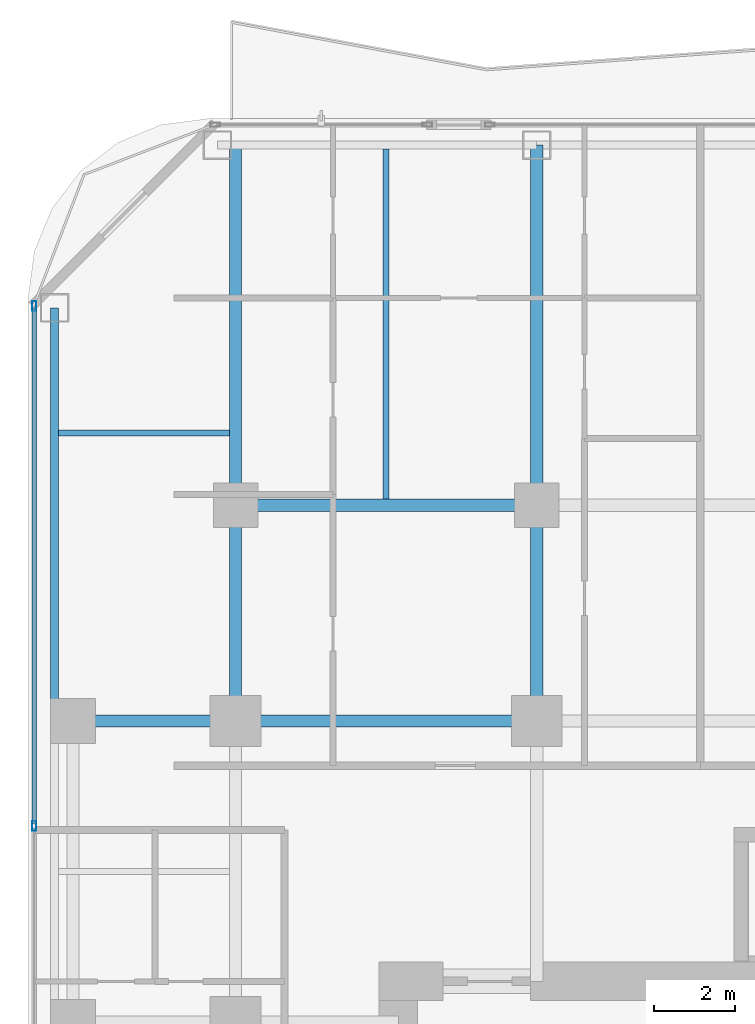
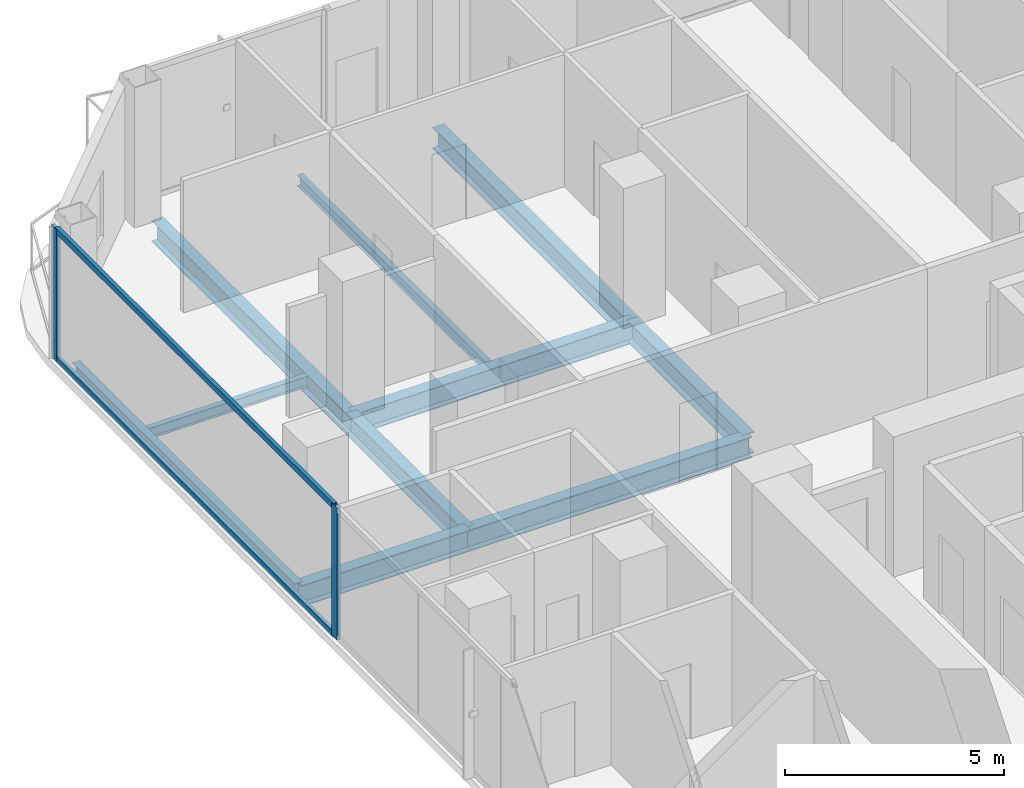
# One storey, part 11 of 30: 10 beams, 4 members, 1 element without a shape of its own.
"""IFC4 building model written with IfcOpenShell, lengths in metres."""

from ifc_helpers import new_model, si_unit, direction, frame, origin, origin_2d, place, context, subcontext, project, spatial, hollow_rectangle, i_section, extrude, material, layer, layer_set, material_profile, profile_set, type_object, element, aggregate, save


model = new_model("IFC4")

# Units and contexts
model_context = context("Model", 3, precision=1e-05, world=origin(), true_north=direction((0.0, 1.0)))
body_context = subcontext(model_context, "Body", "Model", "MODEL_VIEW")
ifc_project = project(units=[si_unit("LENGTHUNIT", "METRE"), si_unit("AREAUNIT", "SQUARE_METRE"), si_unit("VOLUMEUNIT", "CUBIC_METRE"), si_unit("PLANEANGLEUNIT", "RADIAN"), si_unit("MASSUNIT", "GRAM", prefix="KILO")], contexts=[model_context])

# Site, building, storey
site_placement = place(None, origin())
site = spatial("IfcSite", under=ifc_project, at=site_placement, CompositionType="ELEMENT")
building_placement = place(site_placement, origin())
building = spatial("IfcBuilding", under=site, at=building_placement, Name="Khorvyn Point Tower", CompositionType="ELEMENT")
storey_placement = place(building_placement, frame((0.0, 0.0, 117.300048828125)))
storey = spatial("IfcBuildingStorey", under=building, at=storey_placement, Name="L29", CompositionType="ELEMENT", Elevation=117.300048828125)

# Curtain wall, members
ifc_material_1 = material(Name="Anodised aluminium 6063-T6 and laminated Low-E glass", Category="aluminium")
ifc_layer = layer(ifc_material_1, 0.18994140625)
ifc_layer_set = layer_set([ifc_layer], Name="Stick-Built Acoustic Curtain Wall CW-SYS-03")
curtain_wall_type = type_object("IfcCurtainWallType", Name="Stick-Built Acoustic Curtain Wall CW-SYS-03", PredefinedType="NOTDEFINED", material=ifc_layer_set)
curtain_wall_placement = place(storey_placement, origin())
curtain_wall = element("IfcCurtainWall", 1, at=curtain_wall_placement, inside=storey, type_object=curtain_wall_type, Name="Curtain Wall", PredefinedType="NOTDEFINED")
ifc_material_2 = material(Name="Anodised aluminium 6063-T6", Category="aluminium")
ifc_material_profile_1 = material_profile(ifc_material_2, hollow_rectangle(XDim=0.10009765625, YDim=0.239990234375, WallThickness=0.0048828125, at=origin_2d()))
ifc_profile_set_1 = profile_set([ifc_material_profile_1], Name="Anodised aluminium 6063-T6 ALU-MUL-100x240")
member_type_1 = type_object("IfcMemberType", Name="Anodised Aluminium 6063-T6 Mullion ALU-MUL-100x240", PredefinedType="MULLION", material=ifc_profile_set_1)
member_1_placement = place(storey_placement, frame((-19.75, 12.216552734375, 0.0), z_axis=(0.0, 0.0, 1.0), x_axis=(-1.0, 0.0, 0.0)))
member_1 = element("IfcMember", 2, at=member_1_placement, type_object=member_type_1, Name="Transom", PredefinedType="MULLION", context=body_context, shape_type="SweptSolid", body=[
    extrude(hollow_rectangle(XDim=0.10009765625, YDim=0.239990234375, WallThickness=0.0048828125, at=origin_2d()), origin(), (0.0, 0.0, 1.0), 3.679931640625),
])
member_2_placement = place(storey_placement, frame((-19.75, 25.0, 0.0), z_axis=(0.0, 0.0, 1.0), x_axis=(-1.0, 0.0, 0.0)))
member_2 = element("IfcMember", 3, at=member_2_placement, type_object=member_type_1, Name="Transom", PredefinedType="MULLION", context=body_context, shape_type="SweptSolid", body=[
    extrude(hollow_rectangle(XDim=0.10009765625, YDim=0.239990234375, WallThickness=0.0048828125, at=origin_2d()), origin(), (0.0, 0.0, 1.0), 3.679931640625),
])
ifc_material_profile_2 = material_profile(ifc_material_2, hollow_rectangle(XDim=0.10009765625, YDim=0.159912109375, WallThickness=0.00439453125, at=origin_2d()))
ifc_profile_set_2 = profile_set([ifc_material_profile_2], Name="Anodised aluminium 6063-T6 ALU-TRN-100x160")
member_type_2 = type_object("IfcMemberType", Name="Anodised Aluminium 6063-T6 Transom ALU-TRN-100x160", PredefinedType="USERDEFINED", material=ifc_profile_set_2)
member_3_placement = place(storey_placement, frame((-19.75, 12.2666015625, 0.050048828125), z_axis=(0.0, 1.0, 0.0), x_axis=(-1.0, 0.0, 0.0)))
member_3 = element("IfcMember", 4, at=member_3_placement, type_object=member_type_2, Name="Transom", ObjectType="TRANSOM", PredefinedType="USERDEFINED", context=body_context, shape_type="SweptSolid", body=[
    extrude(hollow_rectangle(XDim=0.10009765625, YDim=0.159912109375, WallThickness=0.00439453125, at=origin_2d()), origin(), (0.0, 0.0, 1.0), 12.683349609375),
])
member_4_placement = place(storey_placement, frame((-19.75, 12.2666015625, 3.6298828125), z_axis=(0.0, 1.0, 0.0), x_axis=(-1.0, 0.0, 0.0)))
member_4 = element("IfcMember", 5, at=member_4_placement, type_object=member_type_2, Name="Transom", ObjectType="TRANSOM", PredefinedType="USERDEFINED", context=body_context, shape_type="SweptSolid", body=[
    extrude(hollow_rectangle(XDim=0.10009765625, YDim=0.159912109375, WallThickness=0.00439453125, at=origin_2d()), origin(), (0.0, 0.0, 1.0), 12.683349609375),
])
aggregate(curtain_wall, [member_1, member_2, member_3, member_4])

# Beams
ifc_material_3 = material(Name="Steel S355", Category="steel")
ifc_material_profile_3 = material_profile(ifc_material_3, i_section(OverallWidth=0.300048828125, OverallDepth=0.587890625, WebThickness=0.011962890625, FlangeThickness=0.02001953125, at=origin_2d()))
ifc_profile_set_3 = profile_set([ifc_material_profile_3], Name="Steel S355 H588x300x12x20")
beam_type_1 = type_object("IfcBeamType", Name="Steel S355 Beam H588x300x12x20", PredefinedType="BEAM", material=ifc_profile_set_3)
beam_1_placement = place(storey_placement, frame((-19.25, 14.800048828125, -0.51416015625), z_axis=(1.0, 0.0, 0.0), x_axis=(0.0, 1.0, 0.0)))
element("IfcBeam", 6, at=beam_1_placement, inside=storey, type_object=beam_type_1, Name="Beam", PredefinedType="BEAM", context=body_context, shape_type="SweptSolid", body=[
    extrude(i_section(OverallWidth=0.300048828125, OverallDepth=0.587890625, WebThickness=0.011962890625, FlangeThickness=0.02001953125, at=origin_2d()), origin(), (0.0, 0.0, 1.0), 4.449951171875),
])
for number, where, z_axis, x_axis, name in (
    (7, (-14.800048828125, 14.800048828125, -0.51416015625), (1.0, 0.0, 0.0), (0.0, 1.0, 0.0), "Beam"),
    (8, (-14.800048828125, 20.10009765625, -0.51416015625), (1.0, 0.0, 0.0), (0.0, 1.0, 0.0), "Beam"),
):
    element("IfcBeam", number, at=place(storey_placement, frame(where, z_axis=z_axis, x_axis=x_axis)), inside=storey, type_object=beam_type_1, Name=name, PredefinedType="BEAM", context=body_context, shape_type="SweptSolid", body=[
        extrude(i_section(OverallWidth=0.300048828125, OverallDepth=0.587890625, WebThickness=0.011962890625, FlangeThickness=0.02001953125, at=origin_2d()), origin(), (0.0, 0.0, 1.0), 7.400146484375),
    ])
beam_2_placement = place(storey_placement, frame((-14.800048828125, 14.800048828125, -0.51416015625), z_axis=(0.0, 1.0, 0.0), x_axis=(-1.0, 0.0, 0.0)))
element("IfcBeam", 9, at=beam_2_placement, inside=storey, type_object=beam_type_1, Name="Beam", PredefinedType="BEAM", context=body_context, shape_type="SweptSolid", body=[
    extrude(i_section(OverallWidth=0.300048828125, OverallDepth=0.587890625, WebThickness=0.011962890625, FlangeThickness=0.02001953125, at=origin_2d()), origin(), (0.0, 0.0, 1.0), 5.300048828125),
])
beam_3_placement = place(storey_placement, frame((-14.800048828125, 20.10009765625, -0.51416015625), z_axis=(0.0, 1.0, 0.0), x_axis=(-1.0, 0.0, 0.0)))
element("IfcBeam", 10, at=beam_3_placement, inside=storey, type_object=beam_type_1, Name="Beam", PredefinedType="BEAM", context=body_context, shape_type="SweptSolid", body=[
    extrude(i_section(OverallWidth=0.300048828125, OverallDepth=0.587890625, WebThickness=0.011962890625, FlangeThickness=0.02001953125, at=origin_2d()), origin(), (0.0, 0.0, 1.0), 8.849853515625),
])
beam_4_placement = place(storey_placement, frame((-7.39990234375, 14.800048828125, -0.51416015625), z_axis=(0.0, 1.0, 0.0), x_axis=(-1.0, 0.0, 0.0)))
element("IfcBeam", 11, at=beam_4_placement, inside=storey, type_object=beam_type_1, Name="Beam", PredefinedType="BEAM", context=body_context, shape_type="SweptSolid", body=[
    extrude(i_section(OverallWidth=0.300048828125, OverallDepth=0.587890625, WebThickness=0.011962890625, FlangeThickness=0.02001953125, at=origin_2d()), origin(), (0.0, 0.0, 1.0), 5.300048828125),
])
beam_5_placement = place(storey_placement, frame((-7.39990234375, 20.10009765625, -0.51416015625), z_axis=(0.0, 1.0, 0.0), x_axis=(-1.0, 0.0, 0.0)))
element("IfcBeam", 12, at=beam_5_placement, inside=storey, type_object=beam_type_1, Name="Beam", PredefinedType="BEAM", context=body_context, shape_type="SweptSolid", body=[
    extrude(i_section(OverallWidth=0.300048828125, OverallDepth=0.587890625, WebThickness=0.011962890625, FlangeThickness=0.02001953125, at=origin_2d()), origin(), (0.0, 0.0, 1.0), 8.849853515625),
])
ifc_material_profile_4 = material_profile(ifc_material_3, i_section(OverallWidth=0.14990234375, OverallDepth=0.300048828125, WebThickness=0.006591796875, FlangeThickness=0.009033203125, at=origin_2d()))
ifc_profile_set_4 = profile_set([ifc_material_profile_4], Name="Steel S355 H300x150x6.5x9")
beam_type_2 = type_object("IfcBeamType", Name="Steel S355 Joist H300x150x6.5x9", PredefinedType="JOIST", material=ifc_profile_set_4)
beam_6_placement = place(storey_placement, frame((-11.10009765625, 20.25, -0.3701171875), z_axis=(0.0, 1.0, 0.0), x_axis=(-1.0, 0.0, 0.0)))
element("IfcBeam", 13, at=beam_6_placement, inside=storey, type_object=beam_type_2, Name="Beam", PredefinedType="JOIST", context=body_context, shape_type="SweptSolid", body=[
    extrude(i_section(OverallWidth=0.14990234375, OverallDepth=0.300048828125, WebThickness=0.006591796875, FlangeThickness=0.009033203125, at=origin_2d()), origin(), (0.0, 0.0, 1.0), 8.60009765625),
])
beam_7_placement = place(storey_placement, frame((-19.14990234375, 21.875, -0.3701171875), z_axis=(1.0, 0.0, 0.0), x_axis=(0.0, 1.0, 0.0)))
element("IfcBeam", 14, at=beam_7_placement, inside=storey, type_object=beam_type_2, Name="Beam", PredefinedType="JOIST", context=body_context, shape_type="SweptSolid", body=[
    extrude(i_section(OverallWidth=0.14990234375, OverallDepth=0.300048828125, WebThickness=0.006591796875, FlangeThickness=0.009033203125, at=origin_2d()), origin(), (0.0, 0.0, 1.0), 4.199951171875),
])
ifc_material_profile_5 = material_profile(ifc_material_3, i_section(OverallWidth=0.199951171875, OverallDepth=0.449951171875, WebThickness=0.009033203125, FlangeThickness=0.013916015625, at=origin_2d()))
ifc_profile_set_5 = profile_set([ifc_material_profile_5], Name="Steel S355 H450x200x9x14")
beam_type_3 = type_object("IfcBeamType", Name="Steel S355 Spandrel H450x200x9x14", PredefinedType="SPANDREL", material=ifc_profile_set_5)
beam_8_placement = place(storey_placement, frame((-19.25, 14.800048828125, -0.445068359375), z_axis=(0.0, 1.0, 0.0), x_axis=(-1.0, 0.0, 0.0)))
element("IfcBeam", 15, at=beam_8_placement, inside=storey, type_object=beam_type_3, Name="Beam", PredefinedType="SPANDREL", context=body_context, shape_type="SweptSolid", body=[
    extrude(i_section(OverallWidth=0.199951171875, OverallDepth=0.449951171875, WebThickness=0.009033203125, FlangeThickness=0.013916015625, at=origin_2d()), origin(), (0.0, 0.0, 1.0), 10.14990234375),
])

save(model, "model.ifc")
